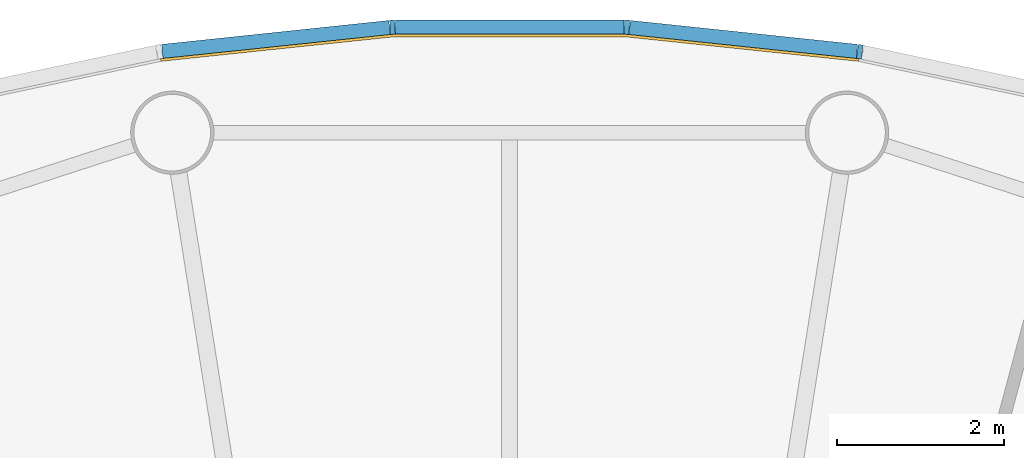
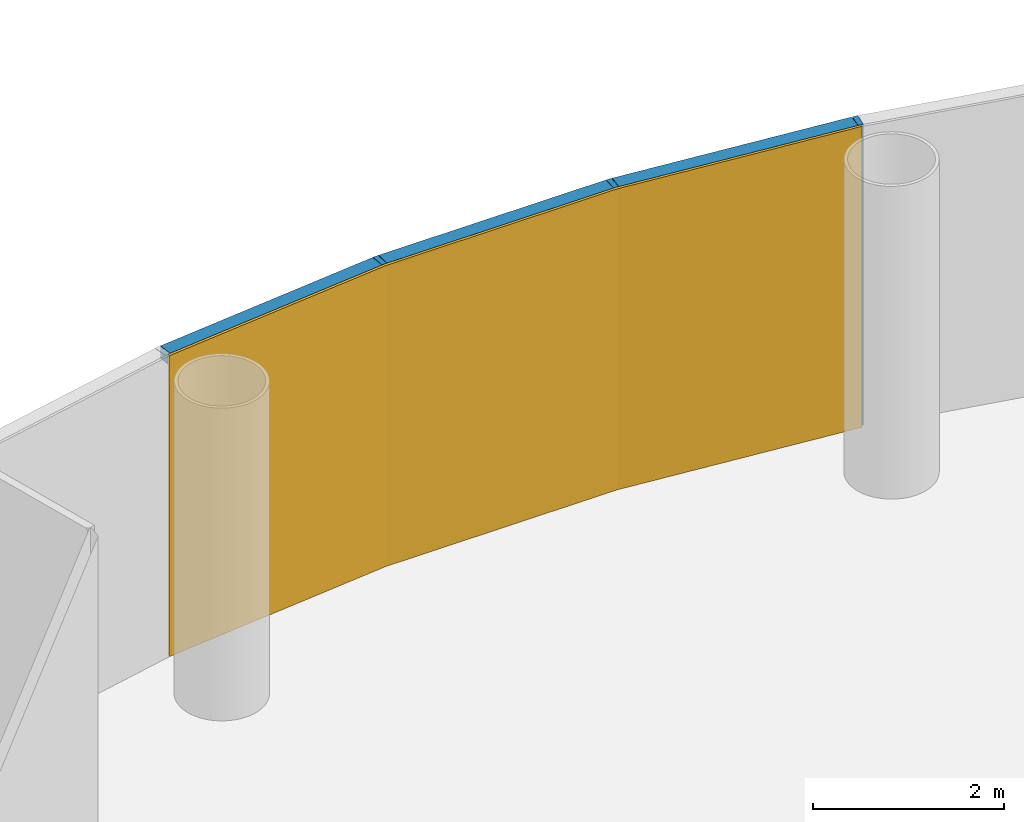
# One storey, part 10 of 12: 6 members, 1 curtain wall.
"""IFC4 building model written with IfcOpenShell, lengths in metres."""

from ifc_helpers import new_model, si_unit, direction, frame, origin, origin_2d, place, context, subcontext, project, spatial, polyline, rectangle, outline, extrude, material, layer, layer_set, material_profile, profile_set, type_object, element, aggregate, save


model = new_model("IFC4")

# Units and contexts
model_context = context("Model", 3, precision=1e-05, world=origin(), true_north=direction((0.0, 1.0)))
body_context = subcontext(model_context, "Body", "Model", "MODEL_VIEW")
ifc_project = project(units=[si_unit("LENGTHUNIT", "METRE"), si_unit("AREAUNIT", "SQUARE_METRE"), si_unit("VOLUMEUNIT", "CUBIC_METRE"), si_unit("PLANEANGLEUNIT", "RADIAN"), si_unit("MASSUNIT", "GRAM", prefix="KILO")], contexts=[model_context])

# Member
ifc_material_1 = material(Name="Anodised aluminium", Category="aluminium")
ifc_material_profile_1 = material_profile(ifc_material_1, rectangle(XDim=0.06005859375, YDim=0.169921875, at=origin_2d()), Name="Mullion 60 x 170 mm anodised aluminium")
ifc_profile_set_1 = profile_set([ifc_material_profile_1], Name="Anodised aluminium")
member_type_1 = type_object("IfcMemberType", Name="Mullion 60 x 170 mm anodised aluminium", PredefinedType="MULLION", material=ifc_profile_set_1)
site_placement = place(None, origin())
building_placement = place(site_placement, origin())
storey_placement = place(building_placement, frame((0.0, 0.0, 210.0)))
member_1_placement = place(storey_placement, frame((94.205810546875, 106.553955078125, 0.0), z_axis=(0.0, 0.0, 1.0), x_axis=(-0.987688340595, 0.15643446504, 0.0)))
member_1 = element("IfcMember", 1, at=member_1_placement, type_object=member_type_1, Name="MULLION L48-12", PredefinedType="MULLION", context=body_context, shape_type="SweptSolid", body=[
    extrude(rectangle(XDim=0.06005859375, YDim=0.169921875, at=origin_2d()), origin(), (0.0, 0.0, 1.0), 3.85009765625),
])

member_2_placement = place(storey_placement, frame((91.406982421875, 106.84814453125, 0.0), z_axis=(0.0, 0.0, 1.0), x_axis=(-0.998629534755, 0.052335956243, 0.0)))
member_2 = element("IfcMember", 2, at=member_2_placement, type_object=member_type_1, Name="MULLION L48-13", PredefinedType="MULLION", context=body_context, shape_type="SweptSolid", body=[
    extrude(rectangle(XDim=0.06005859375, YDim=0.169921875, at=origin_2d()), origin(), (0.0, 0.0, 1.0), 3.85009765625),
])

member_3_placement = place(storey_placement, frame((88.593017578125, 106.84814453125, 0.0), z_axis=(0.0, 0.0, 1.0), x_axis=(-0.998629534755, -0.052335956243, 0.0)))
member_3 = element("IfcMember", 3, at=member_3_placement, type_object=member_type_1, Name="MULLION L48-14", PredefinedType="MULLION", context=body_context, shape_type="SweptSolid", body=[
    extrude(rectangle(XDim=0.06005859375, YDim=0.169921875, at=origin_2d()), origin(), (0.0, 0.0, 1.0), 3.85009765625),
])

ifc_material_2 = material(Name="Anodised aluminium", Category="aluminium")
ifc_material_profile_2 = material_profile(ifc_material_2, rectangle(XDim=0.169921875, YDim=0.1650390625, at=origin_2d()), Name="Transom 165 x 170 mm anodised aluminium")
ifc_profile_set_2 = profile_set([ifc_material_profile_2], Name="Anodised aluminium")
member_type_2 = type_object("IfcMemberType", Name="Transom 165 x 170 mm anodised aluminium", PredefinedType="USERDEFINED", material=ifc_profile_set_2)
member_4_placement = place(storey_placement, frame((94.17138671875, 106.5576171875, 3.767578125), z_axis=(-0.994515195344, 0.104592190102, 0.0), x_axis=(-0.104592190102, -0.994515195344, 0.0)))
member_4 = element("IfcMember", 4, at=member_4_placement, type_object=member_type_2, Name="TRANSOM L48-12", ObjectType="TRANSOM", PredefinedType="USERDEFINED", context=body_context, shape_type="SweptSolid", body=[
    extrude(rectangle(XDim=0.169921875, YDim=0.1650390625, at=origin_2d()), origin(), (0.0, 0.0, 1.0), 2.7451171875),
])

member_5_placement = place(storey_placement, frame((91.37255859375, 106.848388671875, 3.767578125), z_axis=(-1.0, 0.0, 0.0), x_axis=(0.0, -1.0, 0.0)))
member_5 = element("IfcMember", 5, at=member_5_placement, type_object=member_type_2, Name="TRANSOM L48-13", ObjectType="TRANSOM", PredefinedType="USERDEFINED", context=body_context, shape_type="SweptSolid", body=[
    extrude(rectangle(XDim=0.169921875, YDim=0.1650390625, at=origin_2d()), origin(), (0.0, 0.0, 1.0), 2.7451171875),
])

member_6_placement = place(storey_placement, frame((88.55859375, 106.8447265625, 3.767578125), z_axis=(-0.994515195344, -0.104592190102, 0.0), x_axis=(0.104592190102, -0.994515195344, 0.0)))
member_6 = element("IfcMember", 6, at=member_6_placement, type_object=member_type_2, Name="TRANSOM L48-14", ObjectType="TRANSOM", PredefinedType="USERDEFINED", context=body_context, shape_type="SweptSolid", body=[
    extrude(rectangle(XDim=0.169921875, YDim=0.1650390625, at=origin_2d()), origin(), (0.0, 0.0, 1.0), 2.7451171875),
])

# Site, building, storey
site = spatial("IfcSite", under=ifc_project, at=site_placement, CompositionType="ELEMENT")
building = spatial("IfcBuilding", under=site, at=building_placement, Name="Entoto Ring Tower", CompositionType="ELEMENT")
storey = spatial("IfcBuildingStorey", under=building, at=storey_placement, Name="L48", CompositionType="ELEMENT", Elevation=210.0)

# Curtain wall
ifc_material_3 = material(Name="Clear low-iron glass", Category="glass")
ifc_layer = layer(ifc_material_3, 0.031982421875)
ifc_layer_set = layer_set([ifc_layer], Name="Clear low-iron glass")
curtain_wall_type = type_object("IfcCurtainWallType", Name="Curtain wall system CW4 glazing 32 mm", PredefinedType="NOTDEFINED", material=ifc_layer_set)
curtain_wall_placement = place(storey_placement, origin())
curtain_wall = element("IfcCurtainWall", 7, at=curtain_wall_placement, inside=storey, type_object=curtain_wall_type, Name="CW4 L48-05", PredefinedType="NOTDEFINED", context=body_context, shape_type="SweptSolid", body=[
    extrude(outline(polyline([(94.1923828125, 106.469970703125), (91.402587890625, 106.76318359375), (88.597412109375, 106.76318359375), (85.8076171875, 106.469970703125), (85.8125, 106.4384765625), (88.59912109375, 106.731201171875), (91.40087890625, 106.731201171875), (94.1875, 106.4384765625), (94.1923828125, 106.469970703125)])), origin(), (0.0, 0.0, 1.0), 3.85009765625),
])

aggregate(curtain_wall, [member_1, member_2, member_3, member_4, member_5, member_6])

save(model, "model.ifc")
